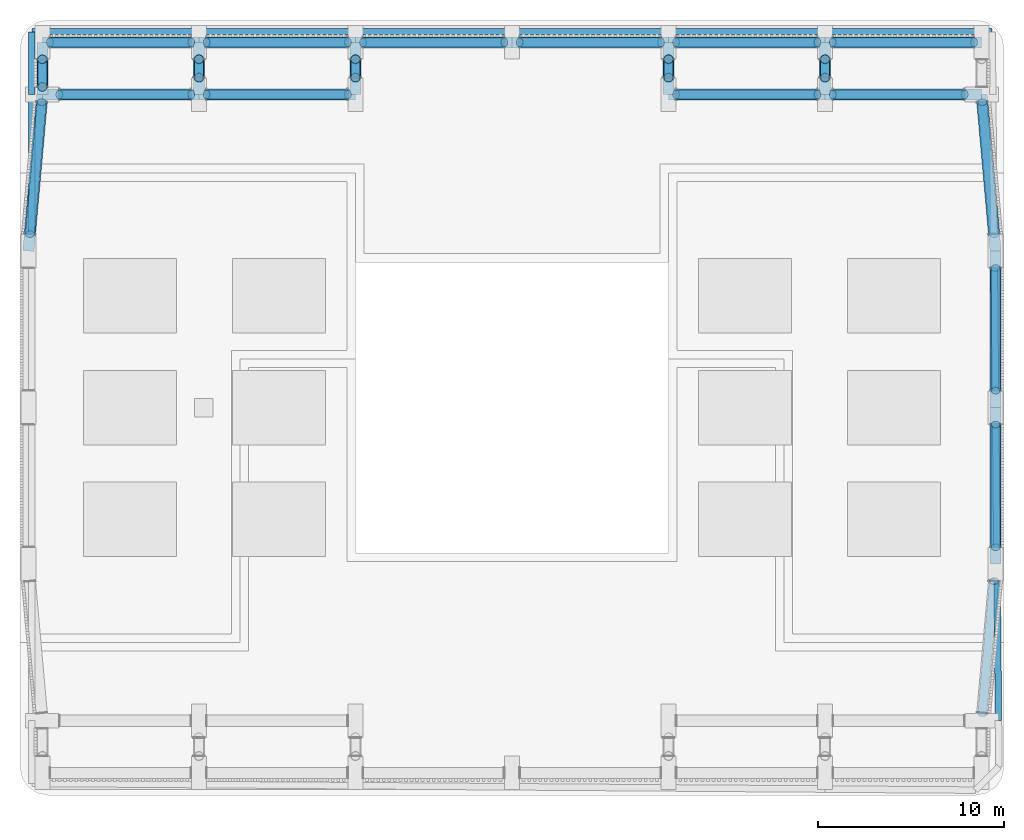
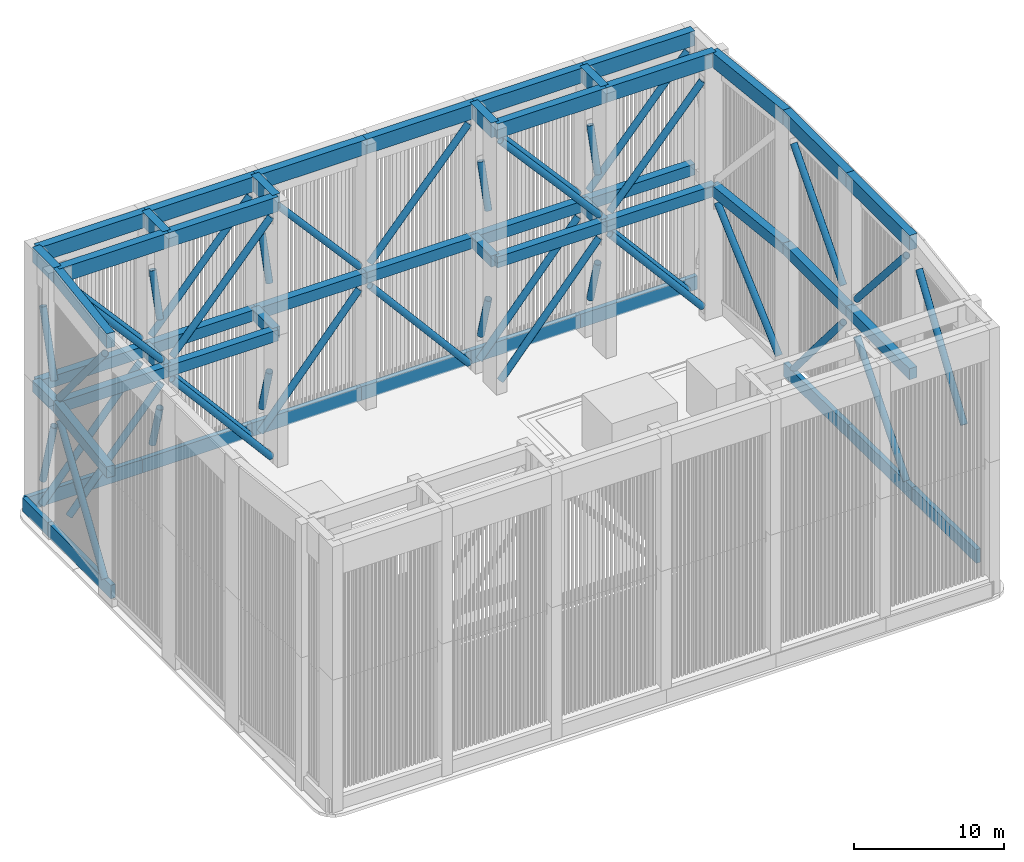
# One storey, part 3 of 27: 49 beams, 38 members.
"""IFC4 building model written with IfcOpenShell, lengths in metres."""

from ifc_helpers import new_model, si_unit, direction, frame, origin, origin_2d, place, context, subcontext, project, spatial, rectangle, hollow_circle, extrude, material, material_profile, profile_set, type_object, element, save


model = new_model("IFC4")

# Units and contexts
model_context = context("Model", 3, precision=1e-05, world=origin(), true_north=direction((0.0, 1.0)))
body_context = subcontext(model_context, "Body", "Model", "MODEL_VIEW")
ifc_project = project(units=[si_unit("LENGTHUNIT", "METRE"), si_unit("AREAUNIT", "SQUARE_METRE"), si_unit("VOLUMEUNIT", "CUBIC_METRE"), si_unit("PLANEANGLEUNIT", "RADIAN"), si_unit("MASSUNIT", "GRAM", prefix="KILO")], contexts=[model_context])

# Site, building, storey
site_placement = place(None, origin())
site = spatial("IfcSite", under=ifc_project, at=site_placement, CompositionType="ELEMENT")
building_placement = place(site_placement, origin())
building = spatial("IfcBuilding", under=site, at=building_placement, Name="Claustro Exchange Tower", CompositionType="ELEMENT")
storey_placement = place(building_placement, frame((0.0, 0.0, 287.10009765625)))
storey = spatial("IfcBuildingStorey", under=building, at=storey_placement, Name="ROOF", CompositionType="ELEMENT", Elevation=287.10009765625)

# Beams
ifc_material_1 = material(Name="Concrete HA-50 (C50/60)", Category="concrete")
ifc_material_profile_1 = material_profile(ifc_material_1, rectangle(XDim=0.60009765625, YDim=0.89990234375, at=origin_2d()), Name="RC 600x900")
ifc_profile_set_1 = profile_set([ifc_material_profile_1], Name="Concrete HA-50 (C50/60)")
beam_type_1 = type_object("IfcBeamType", Name="CF2 RC 600x900 crown frame ring beam", PredefinedType="BEAM", material=ifc_profile_set_1)
beam_1_placement = place(storey_placement, frame((0.0, 44.800048828125, 10.349853515625), z_axis=(1.0, 0.0, 0.0), x_axis=(0.0, 1.0, 0.0)))
element("IfcBeam", 1, at=beam_1_placement, inside=storey, type_object=beam_type_1, Name="CROWN FRAME ring beam CF2", PredefinedType="BEAM", context=body_context, shape_type="SweptSolid", body=[
    extrude(rectangle(XDim=0.60009765625, YDim=0.89990234375, at=origin_2d()), origin(), (0.0, 0.0, 1.0), 8.39990234375),
])
beam_2_placement = place(storey_placement, frame((8.39990234375, 44.800048828125, 10.349853515625), z_axis=(1.0, 0.0, 0.0), x_axis=(0.0, 1.0, 0.0)))
element("IfcBeam", 2, at=beam_2_placement, inside=storey, type_object=beam_type_1, Name="CROWN FRAME ring beam CF2", PredefinedType="BEAM", context=body_context, shape_type="SweptSolid", body=[
    extrude(rectangle(XDim=0.60009765625, YDim=0.89990234375, at=origin_2d()), origin(), (0.0, 0.0, 1.0), 8.400146484375),
])
beam_3_placement = place(storey_placement, frame((16.800048828125, 44.800048828125, 10.349853515625), z_axis=(1.0, 0.0, 0.0), x_axis=(0.0, 1.0, 0.0)))
element("IfcBeam", 3, at=beam_3_placement, inside=storey, type_object=beam_type_1, Name="CROWN FRAME ring beam CF2", PredefinedType="BEAM", context=body_context, shape_type="SweptSolid", body=[
    extrude(rectangle(XDim=0.60009765625, YDim=0.89990234375, at=origin_2d()), origin(), (0.0, 0.0, 1.0), 8.39990234375),
])
beam_4_placement = place(storey_placement, frame((25.199951171875, 44.800048828125, 10.349853515625), z_axis=(1.0, 0.0, 0.0), x_axis=(0.0, 1.0, 0.0)))
element("IfcBeam", 4, at=beam_4_placement, inside=storey, type_object=beam_type_1, Name="CROWN FRAME ring beam CF2", PredefinedType="BEAM", context=body_context, shape_type="SweptSolid", body=[
    extrude(rectangle(XDim=0.60009765625, YDim=0.89990234375, at=origin_2d()), origin(), (0.0, 0.0, 1.0), 8.400146484375),
])
for number, where, z_axis, x_axis, name in (
    (5, (33.60009765625, 44.800048828125, 10.349853515625), (1.0, 0.0, 0.0), (0.0, 1.0, 0.0), "CROWN FRAME ring beam CF2"),
    (6, (42.0, 44.800048828125, 10.349853515625), (1.0, 0.0, 0.0), (0.0, 1.0, 0.0), "CROWN FRAME ring beam CF2"),
):
    element("IfcBeam", number, at=place(storey_placement, frame(where, z_axis=z_axis, x_axis=x_axis)), inside=storey, type_object=beam_type_1, Name=name, PredefinedType="BEAM", context=body_context, shape_type="SweptSolid", body=[
        extrude(rectangle(XDim=0.60009765625, YDim=0.89990234375, at=origin_2d()), origin(), (0.0, 0.0, 1.0), 8.39990234375),
    ])
beam_5_placement = place(storey_placement, frame((-0.75, 33.60009765625, 10.349853515625), z_axis=(0.088932963709, 0.99603761373, 0.0), x_axis=(-0.99603761373, 0.088932963709, 0.0)))
element("IfcBeam", 7, at=beam_5_placement, inside=storey, type_object=beam_type_1, Name="CROWN FRAME ring beam CF2", PredefinedType="BEAM", context=body_context, shape_type="SweptSolid", body=[
    extrude(rectangle(XDim=0.60009765625, YDim=0.89990234375, at=origin_2d()), origin(), (0.0, 0.0, 1.0), 8.433349609375),
])
beam_6_placement = place(storey_placement, frame((0.0, 42.0, 10.349853515625), z_axis=(0.0, 1.0, 0.0), x_axis=(-1.0, 0.0, 0.0)))
element("IfcBeam", 8, at=beam_6_placement, inside=storey, type_object=beam_type_1, Name="CROWN FRAME ring beam CF2", PredefinedType="BEAM", context=body_context, shape_type="SweptSolid", body=[
    extrude(rectangle(XDim=0.60009765625, YDim=0.89990234375, at=origin_2d()), origin(), (0.0, 0.0, 1.0), 2.800048828125),
])
beam_7_placement = place(storey_placement, frame((51.14990234375, 16.800048828125, 10.349853515625), z_axis=(0.0, 1.0, 0.0), x_axis=(-1.0, 0.0, 0.0)))
element("IfcBeam", 9, at=beam_7_placement, inside=storey, type_object=beam_type_1, Name="CROWN FRAME ring beam CF2", PredefinedType="BEAM", context=body_context, shape_type="SweptSolid", body=[
    extrude(rectangle(XDim=0.60009765625, YDim=0.89990234375, at=origin_2d()), origin(), (0.0, 0.0, 1.0), 8.39990234375),
])
beam_8_placement = place(storey_placement, frame((51.14990234375, 25.199951171875, 10.349853515625), z_axis=(0.0, 1.0, 0.0), x_axis=(-1.0, 0.0, 0.0)))
element("IfcBeam", 10, at=beam_8_placement, inside=storey, type_object=beam_type_1, Name="CROWN FRAME ring beam CF2", PredefinedType="BEAM", context=body_context, shape_type="SweptSolid", body=[
    extrude(rectangle(XDim=0.60009765625, YDim=0.89990234375, at=origin_2d()), origin(), (0.0, 0.0, 1.0), 8.400146484375),
])
beam_9_placement = place(storey_placement, frame((51.14990234375, 33.60009765625, 10.349853515625), z_axis=(-0.088932963709, 0.99603761373, 0.0), x_axis=(-0.99603761373, -0.088932963709, 0.0)))
element("IfcBeam", 11, at=beam_9_placement, inside=storey, type_object=beam_type_1, Name="CROWN FRAME ring beam CF2", PredefinedType="BEAM", context=body_context, shape_type="SweptSolid", body=[
    extrude(rectangle(XDim=0.60009765625, YDim=0.89990234375, at=origin_2d()), origin(), (0.0, 0.0, 1.0), 8.433349609375),
])
beam_10_placement = place(storey_placement, frame((0.0, 42.0, 10.349853515625), z_axis=(1.0, 0.0, 0.0), x_axis=(0.0, 1.0, 0.0)))
element("IfcBeam", 12, at=beam_10_placement, inside=storey, type_object=beam_type_1, Name="CROWN FRAME ring beam CF2", PredefinedType="BEAM", context=body_context, shape_type="SweptSolid", body=[
    extrude(rectangle(XDim=0.60009765625, YDim=0.89990234375, at=origin_2d()), origin(), (0.0, 0.0, 1.0), 8.39990234375),
])
beam_11_placement = place(storey_placement, frame((8.39990234375, 42.0, 10.349853515625), z_axis=(1.0, 0.0, 0.0), x_axis=(0.0, 1.0, 0.0)))
element("IfcBeam", 13, at=beam_11_placement, inside=storey, type_object=beam_type_1, Name="CROWN FRAME ring beam CF2", PredefinedType="BEAM", context=body_context, shape_type="SweptSolid", body=[
    extrude(rectangle(XDim=0.60009765625, YDim=0.89990234375, at=origin_2d()), origin(), (0.0, 0.0, 1.0), 8.400146484375),
])
for number, where, z_axis, x_axis, name in (
    (14, (33.60009765625, 42.0, 10.349853515625), (1.0, 0.0, 0.0), (0.0, 1.0, 0.0), "CROWN FRAME ring beam CF2"),
    (15, (42.0, 42.0, 10.349853515625), (1.0, 0.0, 0.0), (0.0, 1.0, 0.0), "CROWN FRAME ring beam CF2"),
):
    element("IfcBeam", number, at=place(storey_placement, frame(where, z_axis=z_axis, x_axis=x_axis)), inside=storey, type_object=beam_type_1, Name=name, PredefinedType="BEAM", context=body_context, shape_type="SweptSolid", body=[
        extrude(rectangle(XDim=0.60009765625, YDim=0.89990234375, at=origin_2d()), origin(), (0.0, 0.0, 1.0), 8.39990234375),
    ])
for number, where, z_axis, x_axis, name in (
    (16, (8.39990234375, 42.0, 10.349853515625), (0.0, 1.0, 0.0), (-1.0, 0.0, 0.0), "CROWN FRAME ring beam CF2"),
    (17, (16.800048828125, 42.0, 10.349853515625), (0.0, 1.0, 0.0), (-1.0, 0.0, 0.0), "CROWN FRAME ring beam CF2"),
    (18, (33.60009765625, 42.0, 10.349853515625), (0.0, 1.0, 0.0), (-1.0, 0.0, 0.0), "CROWN FRAME ring beam CF2"),
    (19, (42.0, 42.0, 10.349853515625), (0.0, 1.0, 0.0), (-1.0, 0.0, 0.0), "CROWN FRAME ring beam CF2"),
):
    element("IfcBeam", number, at=place(storey_placement, frame(where, z_axis=z_axis, x_axis=x_axis)), inside=storey, type_object=beam_type_1, Name=name, PredefinedType="BEAM", context=body_context, shape_type="SweptSolid", body=[
        extrude(rectangle(XDim=0.60009765625, YDim=0.89990234375, at=origin_2d()), origin(), (0.0, 0.0, 1.0), 2.800048828125),
    ])

# Members
ifc_material_2 = material(Name="Steel S355", Category="steel")
ifc_material_profile_2 = material_profile(ifc_material_2, hollow_circle(Radius=0.25390625, WallThickness=0.02490234375, at=origin_2d()), Name="CHS 508x25")
ifc_profile_set_2 = profile_set([ifc_material_profile_2], Name="Steel S355")
member_type = type_object("IfcMemberType", Name="CF3 CHS 508x25 crown frame brace", PredefinedType="BRACE", material=ifc_profile_set_2)
for number, where, z_axis, x_axis, name in (
    (20, (0.405029296875, 44.800048828125, 0.477294921875), (0.646983681382, 0.0, 0.762503846564), (0.0, 1.0, 0.0), "CROWN FRAME brace CF3 lower"),
    (21, (16.39501953125, 44.800048828125, 0.477294921875), (-0.646983681382, 0.0, 0.762503846564), (0.0, -1.0, 0.0), "CROWN FRAME brace CF3 lower"),
    (22, (17.205078125, 44.800048828125, 0.477294921875), (0.646971581548, 0.0, 0.762514113095), (0.0, 1.0, 0.0), "CROWN FRAME brace CF3 lower"),
    (23, (33.195068359375, 44.800048828125, 0.477294921875), (-0.646983681382, 0.0, 0.762503846564), (0.0, -1.0, 0.0), "CROWN FRAME brace CF3 lower"),
    (24, (34.0048828125, 44.800048828125, 0.477294921875), (0.646983681382, 0.0, 0.762503846564), (0.0, 1.0, 0.0), "CROWN FRAME brace CF3 lower"),
    (25, (49.9951171875, 44.800048828125, 0.477294921875), (-0.646983681382, 0.0, 0.762503846564), (0.0, -1.0, 0.0), "CROWN FRAME brace CF3 lower"),
):
    element("IfcMember", number, at=place(storey_placement, frame(where, z_axis=z_axis, x_axis=x_axis)), inside=storey, type_object=member_type, Name=name, PredefinedType="BRACE", context=body_context, shape_type="SweptSolid", body=[
        extrude(hollow_circle(Radius=0.25390625, WallThickness=0.02490234375, at=origin_2d()), origin(), (0.0, 0.0, 1.0), 11.7314453125),
    ])
member_1_placement = place(storey_placement, frame((-0.669189453125, 34.5048828125, 1.06640625), z_axis=(0.057670787819, 0.645899478998, 0.761241054635), x_axis=(-0.996037542559, 0.088933760816, 0.0)))
element("IfcMember", 26, at=member_1_placement, inside=storey, type_object=member_type, Name="CROWN FRAME brace CF3 lower", PredefinedType="BRACE", context=body_context, shape_type="SweptSolid", body=[
    extrude(hollow_circle(Radius=0.25390625, WallThickness=0.02490234375, at=origin_2d()), origin(), (0.0, 0.0, 1.0), 10.97705078125),
])
member_2_placement = place(storey_placement, frame((0.0, 43.89501953125, 3.19970703125), z_axis=(0.0, -0.272146414505, 0.962255854268), x_axis=(1.0, 0.0, 0.0)))
element("IfcMember", 27, at=member_2_placement, inside=storey, type_object=member_type, Name="CROWN FRAME brace CF3 lower", PredefinedType="BRACE", context=body_context, shape_type="SweptSolid", body=[
    extrude(hollow_circle(Radius=0.25390625, WallThickness=0.02490234375, at=origin_2d()), origin(), (0.0, 0.0, 1.0), 5.474853515625),
])
member_3_placement = place(storey_placement, frame((51.14990234375, 17.705078125, 1.06640625), z_axis=(0.0, 0.646965623684, 0.762519168134), x_axis=(-1.0, 0.0, 0.0)))
element("IfcMember", 28, at=member_3_placement, inside=storey, type_object=member_type, Name="CROWN FRAME brace CF3 lower", PredefinedType="BRACE", context=body_context, shape_type="SweptSolid", body=[
    extrude(hollow_circle(Radius=0.25390625, WallThickness=0.02490234375, at=origin_2d()), origin(), (0.0, 0.0, 1.0), 10.185791015625),
])
member_4_placement = place(storey_placement, frame((51.14990234375, 32.695068359375, 1.06640625), z_axis=(0.0, -0.646979559666, 0.762507343817), x_axis=(1.0, 0.0, 0.0)))
element("IfcMember", 29, at=member_4_placement, inside=storey, type_object=member_type, Name="CROWN FRAME brace CF3 lower", PredefinedType="BRACE", context=body_context, shape_type="SweptSolid", body=[
    extrude(hollow_circle(Radius=0.25390625, WallThickness=0.02490234375, at=origin_2d()), origin(), (0.0, 0.0, 1.0), 10.18603515625),
])
member_5_placement = place(storey_placement, frame((51.069091796875, 34.5048828125, 1.06640625), z_axis=(-0.057648620796, 0.645900307305, 0.761242030857), x_axis=(-0.996040580118, -0.088899734295, 0.0)))
element("IfcMember", 30, at=member_5_placement, inside=storey, type_object=member_type, Name="CROWN FRAME brace CF3 lower", PredefinedType="BRACE", context=body_context, shape_type="SweptSolid", body=[
    extrude(hollow_circle(Radius=0.25390625, WallThickness=0.02490234375, at=origin_2d()), origin(), (0.0, 0.0, 1.0), 10.97705078125),
])
member_6_placement = place(storey_placement, frame((0.905029296875, 42.0, 1.06640625), z_axis=(0.646976270658, 0.0, 0.762510134493), x_axis=(0.0, 1.0, 0.0)))
element("IfcMember", 31, at=member_6_placement, inside=storey, type_object=member_type, Name="CROWN FRAME brace CF3 lower", PredefinedType="BRACE", context=body_context, shape_type="SweptSolid", body=[
    extrude(hollow_circle(Radius=0.25390625, WallThickness=0.02490234375, at=origin_2d()), origin(), (0.0, 0.0, 1.0), 10.958740234375),
])
for number, where, z_axis, x_axis, name in (
    (32, (16.39501953125, 42.0, 0.477294921875), (-0.646983681382, 0.0, 0.762503846564), (0.0, -1.0, 0.0), "CROWN FRAME brace CF3 lower"),
    (33, (34.0048828125, 42.0, 0.477294921875), (0.646983681382, 0.0, 0.762503846564), (0.0, 1.0, 0.0), "CROWN FRAME brace CF3 lower"),
):
    element("IfcMember", number, at=place(storey_placement, frame(where, z_axis=z_axis, x_axis=x_axis)), inside=storey, type_object=member_type, Name=name, PredefinedType="BRACE", context=body_context, shape_type="SweptSolid", body=[
        extrude(hollow_circle(Radius=0.25390625, WallThickness=0.02490234375, at=origin_2d()), origin(), (0.0, 0.0, 1.0), 11.7314453125),
    ])
member_7_placement = place(storey_placement, frame((49.4951171875, 42.0, 1.06640625), z_axis=(-0.646976270658, 0.0, 0.762510134493), x_axis=(0.0, -1.0, 0.0)))
element("IfcMember", 34, at=member_7_placement, inside=storey, type_object=member_type, Name="CROWN FRAME brace CF3 lower", PredefinedType="BRACE", context=body_context, shape_type="SweptSolid", body=[
    extrude(hollow_circle(Radius=0.25390625, WallThickness=0.02490234375, at=origin_2d()), origin(), (0.0, 0.0, 1.0), 10.958740234375),
])
for number, where, z_axis, x_axis, name in (
    (35, (8.39990234375, 43.89501953125, 3.19970703125), (0.0, -0.272140744302, 0.962257457903), (1.0, 0.0, 0.0), "CROWN FRAME brace CF3 lower"),
    (36, (16.800048828125, 43.89501953125, 3.19970703125), (0.0, -0.272140744302, 0.962257457903), (1.0, 0.0, 0.0), "CROWN FRAME brace CF3 lower"),
    (37, (33.60009765625, 43.89501953125, 3.19970703125), (0.0, -0.272140744302, 0.962257457903), (1.0, 0.0, 0.0), "CROWN FRAME brace CF3 lower"),
    (38, (42.0, 43.89501953125, 3.19970703125), (0.0, -0.272140744302, 0.962257457903), (1.0, 0.0, 0.0), "CROWN FRAME brace CF3 lower"),
):
    element("IfcMember", number, at=place(storey_placement, frame(where, z_axis=z_axis, x_axis=x_axis)), inside=storey, type_object=member_type, Name=name, PredefinedType="BRACE", context=body_context, shape_type="SweptSolid", body=[
        extrude(hollow_circle(Radius=0.25390625, WallThickness=0.02490234375, at=origin_2d()), origin(), (0.0, 0.0, 1.0), 3.6376953125),
    ])
for number, where, z_axis, x_axis, name in (
    (39, (7.9951171875, 44.800048828125, 11.2626953125), (-0.658507606995, 0.0, 0.75257407046), (0.0, -1.0, 0.0), "CROWN FRAME brace CF3 upper"),
    (40, (8.804931640625, 44.800048828125, 11.2626953125), (0.658507606995, 0.0, 0.75257407046), (0.0, 1.0, 0.0), "CROWN FRAME brace CF3 upper"),
    (41, (24.794921875, 44.800048828125, 11.2626953125), (-0.6584956103, 0.0, 0.752584567484), (0.0, -1.0, 0.0), "CROWN FRAME brace CF3 upper"),
    (42, (25.60498046875, 44.800048828125, 11.2626953125), (0.658507606995, 0.0, 0.75257407046), (0.0, 1.0, 0.0), "CROWN FRAME brace CF3 upper"),
    (43, (41.594970703125, 44.800048828125, 11.2626953125), (-0.658507606995, 0.0, 0.75257407046), (0.0, -1.0, 0.0), "CROWN FRAME brace CF3 upper"),
    (44, (42.405029296875, 44.800048828125, 11.2626953125), (0.658507606995, 0.0, 0.75257407046), (0.0, 1.0, 0.0), "CROWN FRAME brace CF3 upper"),
):
    element("IfcMember", number, at=place(storey_placement, frame(where, z_axis=z_axis, x_axis=x_axis)), inside=storey, type_object=member_type, Name=name, PredefinedType="BRACE", context=body_context, shape_type="SweptSolid", body=[
        extrude(hollow_circle(Radius=0.25390625, WallThickness=0.02490234375, at=origin_2d()), origin(), (0.0, 0.0, 1.0), 11.526123046875),
    ])
member_8_placement = place(storey_placement, frame((-0.0361328125, 41.594970703125, 11.2626953125), z_axis=(-0.058694617174, -0.657366130869, 0.751282045507), x_axis=(0.996037542559, -0.088933760816, 0.0)))
element("IfcMember", 45, at=member_8_placement, inside=storey, type_object=member_type, Name="CROWN FRAME brace CF3 upper", PredefinedType="BRACE", context=body_context, shape_type="SweptSolid", body=[
    extrude(hollow_circle(Radius=0.25390625, WallThickness=0.02490234375, at=origin_2d()), origin(), (0.0, 0.0, 1.0), 10.78564453125),
])
member_9_placement = place(storey_placement, frame((0.0, 42.405029296875, 12.1884765625), z_axis=(0.0, 0.279994714826, 0.960001541493), x_axis=(-1.0, 0.0, 0.0)))
element("IfcMember", 46, at=member_9_placement, inside=storey, type_object=member_type, Name="CROWN FRAME brace CF3 upper", PredefinedType="BRACE", context=body_context, shape_type="SweptSolid", body=[
    extrude(hollow_circle(Radius=0.25390625, WallThickness=0.02490234375, at=origin_2d()), origin(), (0.0, 0.0, 1.0), 5.321533203125),
])
member_10_placement = place(storey_placement, frame((50.436279296875, 8.804931640625, 11.2626953125), z_axis=(0.058672059315, 0.657367004079, 0.751283043469), x_axis=(-0.996040580118, 0.088899734295, 0.0)))
element("IfcMember", 47, at=member_10_placement, inside=storey, type_object=member_type, Name="CROWN FRAME brace CF3 upper", PredefinedType="BRACE", context=body_context, shape_type="SweptSolid", body=[
    extrude(hollow_circle(Radius=0.25390625, WallThickness=0.02490234375, at=origin_2d()), origin(), (0.0, 0.0, 1.0), 10.78564453125),
])
for number, where, z_axis, x_axis, name in (
    (48, (51.14990234375, 24.294921875, 11.834228515625), (0.0, -0.65849251781, 0.752587273337), (1.0, 0.0, 0.0), "CROWN FRAME brace CF3 upper"),
    (49, (51.14990234375, 26.10498046875, 11.834228515625), (0.0, 0.658506334978, 0.752575183482), (-1.0, 0.0, 0.0), "CROWN FRAME brace CF3 upper"),
):
    element("IfcMember", number, at=place(storey_placement, frame(where, z_axis=z_axis, x_axis=x_axis)), inside=storey, type_object=member_type, Name=name, PredefinedType="BRACE", context=body_context, shape_type="SweptSolid", body=[
        extrude(hollow_circle(Radius=0.25390625, WallThickness=0.02490234375, at=origin_2d()), origin(), (0.0, 0.0, 1.0), 10.007568359375),
    ])
member_11_placement = place(storey_placement, frame((7.9951171875, 42.0, 11.2626953125), z_axis=(-0.658501397259, 0.0, 0.752579503978), x_axis=(0.0, -1.0, 0.0)))
element("IfcMember", 50, at=member_11_placement, inside=storey, type_object=member_type, Name="CROWN FRAME brace CF3 upper", PredefinedType="BRACE", context=body_context, shape_type="SweptSolid", body=[
    extrude(hollow_circle(Radius=0.25390625, WallThickness=0.02490234375, at=origin_2d()), origin(), (0.0, 0.0, 1.0), 10.76708984375),
])
for number, where, z_axis, x_axis, name in (
    (51, (8.804931640625, 42.0, 11.2626953125), (0.658507606995, 0.0, 0.75257407046), (0.0, 1.0, 0.0), "CROWN FRAME brace CF3 upper"),
    (52, (41.594970703125, 42.0, 11.2626953125), (-0.658507606995, 0.0, 0.75257407046), (0.0, -1.0, 0.0), "CROWN FRAME brace CF3 upper"),
):
    element("IfcMember", number, at=place(storey_placement, frame(where, z_axis=z_axis, x_axis=x_axis)), inside=storey, type_object=member_type, Name=name, PredefinedType="BRACE", context=body_context, shape_type="SweptSolid", body=[
        extrude(hollow_circle(Radius=0.25390625, WallThickness=0.02490234375, at=origin_2d()), origin(), (0.0, 0.0, 1.0), 11.526123046875),
    ])
member_12_placement = place(storey_placement, frame((42.405029296875, 42.0, 11.2626953125), z_axis=(0.658501397259, 0.0, 0.752579503978), x_axis=(0.0, 1.0, 0.0)))
element("IfcMember", 53, at=member_12_placement, inside=storey, type_object=member_type, Name="CROWN FRAME brace CF3 upper", PredefinedType="BRACE", context=body_context, shape_type="SweptSolid", body=[
    extrude(hollow_circle(Radius=0.25390625, WallThickness=0.02490234375, at=origin_2d()), origin(), (0.0, 0.0, 1.0), 10.76708984375),
])
for number, where, z_axis, x_axis, name in (
    (54, (8.39990234375, 42.905029296875, 13.90283203125), (0.0, 0.279997348483, 0.960000773355), (-1.0, 0.0, 0.0), "CROWN FRAME brace CF3 upper"),
    (55, (16.800048828125, 42.905029296875, 13.90283203125), (0.0, 0.279997348483, 0.960000773355), (-1.0, 0.0, 0.0), "CROWN FRAME brace CF3 upper"),
    (56, (33.60009765625, 42.905029296875, 13.90283203125), (0.0, 0.279997348483, 0.960000773355), (-1.0, 0.0, 0.0), "CROWN FRAME brace CF3 upper"),
    (57, (42.0, 42.905029296875, 13.90283203125), (0.0, 0.279997348483, 0.960000773355), (-1.0, 0.0, 0.0), "CROWN FRAME brace CF3 upper"),
):
    element("IfcMember", number, at=place(storey_placement, frame(where, z_axis=z_axis, x_axis=x_axis)), inside=storey, type_object=member_type, Name=name, PredefinedType="BRACE", context=body_context, shape_type="SweptSolid", body=[
        extrude(hollow_circle(Radius=0.25390625, WallThickness=0.02490234375, at=origin_2d()), origin(), (0.0, 0.0, 1.0), 3.53564453125),
    ])

# Beams
ifc_material_3 = material(Name="Concrete HA-50 (C50/60)", Category="concrete")
ifc_material_profile_3 = material_profile(ifc_material_3, rectangle(XDim=0.60009765625, YDim=1.199951171875, at=origin_2d()), Name="RC 600x1200")
ifc_profile_set_3 = profile_set([ifc_material_profile_3], Name="Concrete HA-50 (C50/60)")
beam_type_2 = type_object("IfcBeamType", Name="CF5 RC 600x1200 crown frame cap ring", PredefinedType="BEAM", material=ifc_profile_set_3)
beam_12_placement = place(storey_placement, frame((0.0, 44.800048828125, 21.0), z_axis=(1.0, 0.0, 0.0), x_axis=(0.0, 1.0, 0.0)))
element("IfcBeam", 58, at=beam_12_placement, inside=storey, type_object=beam_type_2, Name="CROWN FRAME cap ring CF5", PredefinedType="BEAM", context=body_context, shape_type="SweptSolid", body=[
    extrude(rectangle(XDim=0.60009765625, YDim=1.199951171875, at=origin_2d()), origin(), (0.0, 0.0, 1.0), 8.39990234375),
])
beam_13_placement = place(storey_placement, frame((8.39990234375, 44.800048828125, 21.0), z_axis=(1.0, 0.0, 0.0), x_axis=(0.0, 1.0, 0.0)))
element("IfcBeam", 59, at=beam_13_placement, inside=storey, type_object=beam_type_2, Name="CROWN FRAME cap ring CF5", PredefinedType="BEAM", context=body_context, shape_type="SweptSolid", body=[
    extrude(rectangle(XDim=0.60009765625, YDim=1.199951171875, at=origin_2d()), origin(), (0.0, 0.0, 1.0), 8.400146484375),
])
beam_14_placement = place(storey_placement, frame((16.800048828125, 44.800048828125, 21.0), z_axis=(1.0, 0.0, 0.0), x_axis=(0.0, 1.0, 0.0)))
element("IfcBeam", 60, at=beam_14_placement, inside=storey, type_object=beam_type_2, Name="CROWN FRAME cap ring CF5", PredefinedType="BEAM", context=body_context, shape_type="SweptSolid", body=[
    extrude(rectangle(XDim=0.60009765625, YDim=1.199951171875, at=origin_2d()), origin(), (0.0, 0.0, 1.0), 8.39990234375),
])
beam_15_placement = place(storey_placement, frame((25.199951171875, 44.800048828125, 21.0), z_axis=(1.0, 0.0, 0.0), x_axis=(0.0, 1.0, 0.0)))
element("IfcBeam", 61, at=beam_15_placement, inside=storey, type_object=beam_type_2, Name="CROWN FRAME cap ring CF5", PredefinedType="BEAM", context=body_context, shape_type="SweptSolid", body=[
    extrude(rectangle(XDim=0.60009765625, YDim=1.199951171875, at=origin_2d()), origin(), (0.0, 0.0, 1.0), 8.400146484375),
])
for number, where, z_axis, x_axis, name in (
    (62, (33.60009765625, 44.800048828125, 21.0), (1.0, 0.0, 0.0), (0.0, 1.0, 0.0), "CROWN FRAME cap ring CF5"),
    (63, (42.0, 44.800048828125, 21.0), (1.0, 0.0, 0.0), (0.0, 1.0, 0.0), "CROWN FRAME cap ring CF5"),
):
    element("IfcBeam", number, at=place(storey_placement, frame(where, z_axis=z_axis, x_axis=x_axis)), inside=storey, type_object=beam_type_2, Name=name, PredefinedType="BEAM", context=body_context, shape_type="SweptSolid", body=[
        extrude(rectangle(XDim=0.60009765625, YDim=1.199951171875, at=origin_2d()), origin(), (0.0, 0.0, 1.0), 8.39990234375),
    ])
beam_16_placement = place(storey_placement, frame((-0.75, 33.60009765625, 21.0), z_axis=(0.088932963709, 0.99603761373, 0.0), x_axis=(-0.99603761373, 0.088932963709, 0.0)))
element("IfcBeam", 64, at=beam_16_placement, inside=storey, type_object=beam_type_2, Name="CROWN FRAME cap ring CF5", PredefinedType="BEAM", context=body_context, shape_type="SweptSolid", body=[
    extrude(rectangle(XDim=0.60009765625, YDim=1.199951171875, at=origin_2d()), origin(), (0.0, 0.0, 1.0), 8.433349609375),
])
beam_17_placement = place(storey_placement, frame((0.0, 42.0, 21.0), z_axis=(0.0, 1.0, 0.0), x_axis=(-1.0, 0.0, 0.0)))
element("IfcBeam", 65, at=beam_17_placement, inside=storey, type_object=beam_type_2, Name="CROWN FRAME cap ring CF5", PredefinedType="BEAM", context=body_context, shape_type="SweptSolid", body=[
    extrude(rectangle(XDim=0.60009765625, YDim=1.199951171875, at=origin_2d()), origin(), (0.0, 0.0, 1.0), 2.800048828125),
])
beam_18_placement = place(storey_placement, frame((51.14990234375, 16.800048828125, 21.0), z_axis=(0.0, 1.0, 0.0), x_axis=(-1.0, 0.0, 0.0)))
element("IfcBeam", 66, at=beam_18_placement, inside=storey, type_object=beam_type_2, Name="CROWN FRAME cap ring CF5", PredefinedType="BEAM", context=body_context, shape_type="SweptSolid", body=[
    extrude(rectangle(XDim=0.60009765625, YDim=1.199951171875, at=origin_2d()), origin(), (0.0, 0.0, 1.0), 8.39990234375),
])
beam_19_placement = place(storey_placement, frame((51.14990234375, 25.199951171875, 21.0), z_axis=(0.0, 1.0, 0.0), x_axis=(-1.0, 0.0, 0.0)))
element("IfcBeam", 67, at=beam_19_placement, inside=storey, type_object=beam_type_2, Name="CROWN FRAME cap ring CF5", PredefinedType="BEAM", context=body_context, shape_type="SweptSolid", body=[
    extrude(rectangle(XDim=0.60009765625, YDim=1.199951171875, at=origin_2d()), origin(), (0.0, 0.0, 1.0), 8.400146484375),
])
beam_20_placement = place(storey_placement, frame((51.14990234375, 33.60009765625, 21.0), z_axis=(-0.088932963709, 0.99603761373, 0.0), x_axis=(-0.99603761373, -0.088932963709, 0.0)))
element("IfcBeam", 68, at=beam_20_placement, inside=storey, type_object=beam_type_2, Name="CROWN FRAME cap ring CF5", PredefinedType="BEAM", context=body_context, shape_type="SweptSolid", body=[
    extrude(rectangle(XDim=0.60009765625, YDim=1.199951171875, at=origin_2d()), origin(), (0.0, 0.0, 1.0), 8.433349609375),
])
beam_21_placement = place(storey_placement, frame((0.0, 42.0, 21.0), z_axis=(1.0, 0.0, 0.0), x_axis=(0.0, 1.0, 0.0)))
element("IfcBeam", 69, at=beam_21_placement, inside=storey, type_object=beam_type_2, Name="CROWN FRAME cap ring CF5", PredefinedType="BEAM", context=body_context, shape_type="SweptSolid", body=[
    extrude(rectangle(XDim=0.60009765625, YDim=1.199951171875, at=origin_2d()), origin(), (0.0, 0.0, 1.0), 8.39990234375),
])
beam_22_placement = place(storey_placement, frame((8.39990234375, 42.0, 21.0), z_axis=(1.0, 0.0, 0.0), x_axis=(0.0, 1.0, 0.0)))
element("IfcBeam", 70, at=beam_22_placement, inside=storey, type_object=beam_type_2, Name="CROWN FRAME cap ring CF5", PredefinedType="BEAM", context=body_context, shape_type="SweptSolid", body=[
    extrude(rectangle(XDim=0.60009765625, YDim=1.199951171875, at=origin_2d()), origin(), (0.0, 0.0, 1.0), 8.400146484375),
])
for number, where, z_axis, x_axis, name in (
    (71, (33.60009765625, 42.0, 21.0), (1.0, 0.0, 0.0), (0.0, 1.0, 0.0), "CROWN FRAME cap ring CF5"),
    (72, (42.0, 42.0, 21.0), (1.0, 0.0, 0.0), (0.0, 1.0, 0.0), "CROWN FRAME cap ring CF5"),
):
    element("IfcBeam", number, at=place(storey_placement, frame(where, z_axis=z_axis, x_axis=x_axis)), inside=storey, type_object=beam_type_2, Name=name, PredefinedType="BEAM", context=body_context, shape_type="SweptSolid", body=[
        extrude(rectangle(XDim=0.60009765625, YDim=1.199951171875, at=origin_2d()), origin(), (0.0, 0.0, 1.0), 8.39990234375),
    ])
for number, where, z_axis, x_axis, name in (
    (73, (8.39990234375, 42.0, 21.0), (0.0, 1.0, 0.0), (-1.0, 0.0, 0.0), "CROWN FRAME cap ring CF5"),
    (74, (16.800048828125, 42.0, 21.0), (0.0, 1.0, 0.0), (-1.0, 0.0, 0.0), "CROWN FRAME cap ring CF5"),
    (75, (33.60009765625, 42.0, 21.0), (0.0, 1.0, 0.0), (-1.0, 0.0, 0.0), "CROWN FRAME cap ring CF5"),
    (76, (42.0, 42.0, 21.0), (0.0, 1.0, 0.0), (-1.0, 0.0, 0.0), "CROWN FRAME cap ring CF5"),
):
    element("IfcBeam", number, at=place(storey_placement, frame(where, z_axis=z_axis, x_axis=x_axis)), inside=storey, type_object=beam_type_2, Name=name, PredefinedType="BEAM", context=body_context, shape_type="SweptSolid", body=[
        extrude(rectangle(XDim=0.60009765625, YDim=1.199951171875, at=origin_2d()), origin(), (0.0, 0.0, 1.0), 2.800048828125),
    ])
ifc_material_4 = material(Name="Concrete HA-50 (C50/60)", Category="concrete")
ifc_material_profile_4 = material_profile(ifc_material_4, rectangle(XDim=0.35009765625, YDim=1.10009765625, at=origin_2d()), Name="RC 350x1100")
ifc_profile_set_4 = profile_set([ifc_material_profile_4], Name="Concrete HA-50 (C50/60)")
beam_type_3 = type_object("IfcBeamType", Name="CF6 RC 350x1100 crown frame base ring", PredefinedType="BEAM", material=ifc_profile_set_4)
beam_23_placement = place(storey_placement, frame((-0.5625, 33.60009765625, 0.5498046875), z_axis=(0.0, 1.0, 0.0), x_axis=(-1.0, 0.0, 0.0)))
element("IfcBeam", 77, at=beam_23_placement, inside=storey, type_object=beam_type_3, Name="CROWN FRAME base ring CF6", PredefinedType="BEAM", context=body_context, shape_type="SweptSolid", body=[
    extrude(rectangle(XDim=0.35009765625, YDim=1.10009765625, at=origin_2d()), origin(), (0.0, 0.0, 1.0), 8.39990234375),
])
beam_24_placement = place(storey_placement, frame((-0.5625, 42.0, 0.5498046875), z_axis=(0.0, 1.0, 0.0), x_axis=(-1.0, 0.0, 0.0)))
element("IfcBeam", 78, at=beam_24_placement, inside=storey, type_object=beam_type_3, Name="CROWN FRAME base ring CF6", PredefinedType="BEAM", context=body_context, shape_type="SweptSolid", body=[
    extrude(rectangle(XDim=0.35009765625, YDim=1.10009765625, at=origin_2d()), origin(), (0.0, 0.0, 1.0), 3.3623046875),
])
beam_25_placement = place(storey_placement, frame((-0.5625, 45.3623046875, 0.5498046875), z_axis=(1.0, 0.0, 0.0), x_axis=(0.0, 1.0, 0.0)))
element("IfcBeam", 79, at=beam_25_placement, inside=storey, type_object=beam_type_3, Name="CROWN FRAME base ring CF6", PredefinedType="BEAM", context=body_context, shape_type="SweptSolid", body=[
    extrude(rectangle(XDim=0.35009765625, YDim=1.10009765625, at=origin_2d()), origin(), (0.0, 0.0, 1.0), 8.96240234375),
])
beam_26_placement = place(storey_placement, frame((8.39990234375, 45.3623046875, 0.5498046875), z_axis=(1.0, 0.0, 0.0), x_axis=(0.0, 1.0, 0.0)))
element("IfcBeam", 80, at=beam_26_placement, inside=storey, type_object=beam_type_3, Name="CROWN FRAME base ring CF6", PredefinedType="BEAM", context=body_context, shape_type="SweptSolid", body=[
    extrude(rectangle(XDim=0.35009765625, YDim=1.10009765625, at=origin_2d()), origin(), (0.0, 0.0, 1.0), 8.400146484375),
])
beam_27_placement = place(storey_placement, frame((16.800048828125, 45.3623046875, 0.5498046875), z_axis=(1.0, 0.0, 0.0), x_axis=(0.0, 1.0, 0.0)))
element("IfcBeam", 81, at=beam_27_placement, inside=storey, type_object=beam_type_3, Name="CROWN FRAME base ring CF6", PredefinedType="BEAM", context=body_context, shape_type="SweptSolid", body=[
    extrude(rectangle(XDim=0.35009765625, YDim=1.10009765625, at=origin_2d()), origin(), (0.0, 0.0, 1.0), 8.39990234375),
])
beam_28_placement = place(storey_placement, frame((25.199951171875, 45.3623046875, 0.5498046875), z_axis=(1.0, 0.0, 0.0), x_axis=(0.0, 1.0, 0.0)))
element("IfcBeam", 82, at=beam_28_placement, inside=storey, type_object=beam_type_3, Name="CROWN FRAME base ring CF6", PredefinedType="BEAM", context=body_context, shape_type="SweptSolid", body=[
    extrude(rectangle(XDim=0.35009765625, YDim=1.10009765625, at=origin_2d()), origin(), (0.0, 0.0, 1.0), 8.400146484375),
])
beam_29_placement = place(storey_placement, frame((33.60009765625, 45.3623046875, 0.5498046875), z_axis=(1.0, 0.0, 0.0), x_axis=(0.0, 1.0, 0.0)))
element("IfcBeam", 83, at=beam_29_placement, inside=storey, type_object=beam_type_3, Name="CROWN FRAME base ring CF6", PredefinedType="BEAM", context=body_context, shape_type="SweptSolid", body=[
    extrude(rectangle(XDim=0.35009765625, YDim=1.10009765625, at=origin_2d()), origin(), (0.0, 0.0, 1.0), 8.39990234375),
])
beam_30_placement = place(storey_placement, frame((42.0, 45.3623046875, 0.5498046875), z_axis=(1.0, 0.0, 0.0), x_axis=(0.0, 1.0, 0.0)))
element("IfcBeam", 84, at=beam_30_placement, inside=storey, type_object=beam_type_3, Name="CROWN FRAME base ring CF6", PredefinedType="BEAM", context=body_context, shape_type="SweptSolid", body=[
    extrude(rectangle(XDim=0.35009765625, YDim=1.10009765625, at=origin_2d()), origin(), (0.0, 0.0, 1.0), 8.96240234375),
])
for number, where, z_axis, x_axis, name in (
    (85, (51.070556640625, 33.59912109375, 0.5498046875), (0.009184858024, -0.999957818302, 0.0), (0.999957818302, 0.009184858024, 0.0), "CROWN FRAME base ring CF6"),
    (86, (51.147705078125, 25.199951171875, 0.5498046875), (0.009213921566, -0.999957550924, 0.0), (0.999957550924, 0.009213921566, 0.0), "CROWN FRAME base ring CF6"),
):
    element("IfcBeam", number, at=place(storey_placement, frame(where, z_axis=z_axis, x_axis=x_axis)), inside=storey, type_object=beam_type_3, Name=name, PredefinedType="BEAM", context=body_context, shape_type="SweptSolid", body=[
        extrude(rectangle(XDim=0.35009765625, YDim=1.10009765625, at=origin_2d()), origin(), (0.0, 0.0, 1.0), 8.3994140625),
    ])
beam_31_placement = place(storey_placement, frame((51.22509765625, 16.80078125, 0.5498046875), z_axis=(0.009192071493, -0.999957752018, 0.0), x_axis=(0.999957752018, 0.009192071493, 0.0)))
element("IfcBeam", 87, at=beam_31_placement, inside=storey, type_object=beam_type_3, Name="CROWN FRAME base ring CF6", PredefinedType="BEAM", context=body_context, shape_type="SweptSolid", body=[
    extrude(rectangle(XDim=0.35009765625, YDim=1.10009765625, at=origin_2d()), origin(), (0.0, 0.0, 1.0), 8.392822265625),
])

save(model, "model.ifc")
